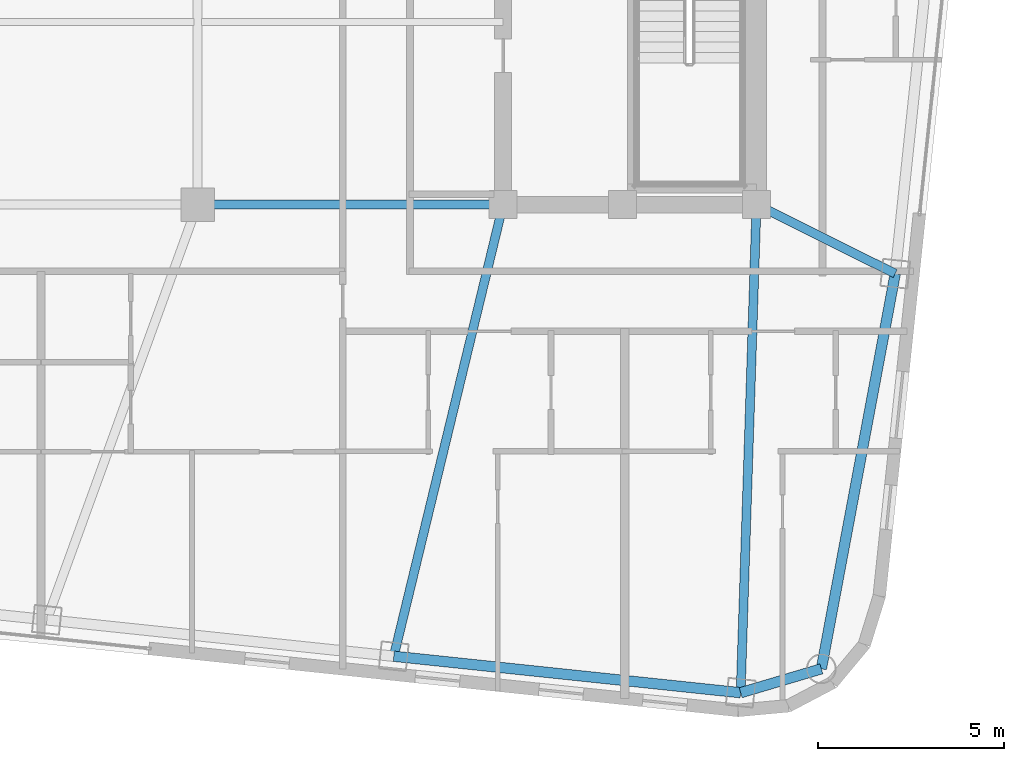
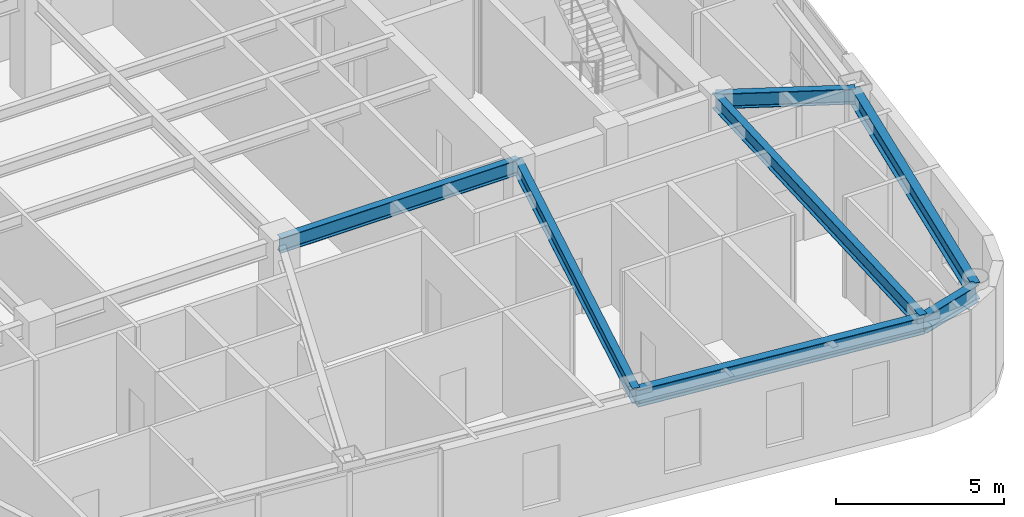
# One storey, part 7 of 23: 7 beams.
"""IFC4 building model written with IfcOpenShell, lengths in metres."""

from ifc_helpers import new_model, si_unit, direction, frame, origin, origin_2d, place, context, subcontext, project, spatial, i_section, extrude, material, material_profile, profile_set, type_object, element, save


model = new_model("IFC4")

# Units and contexts
model_context = context("Model", 3, precision=1e-05, world=origin(), true_north=direction((0.0, 1.0)))
body_context = subcontext(model_context, "Body", "Model", "MODEL_VIEW")
ifc_project = project(units=[si_unit("LENGTHUNIT", "METRE"), si_unit("AREAUNIT", "SQUARE_METRE"), si_unit("VOLUMEUNIT", "CUBIC_METRE"), si_unit("PLANEANGLEUNIT", "RADIAN"), si_unit("MASSUNIT", "GRAM", prefix="KILO")], contexts=[model_context])

# Site, building, storey
site_placement = place(None, origin())
site = spatial("IfcSite", under=ifc_project, at=site_placement, CompositionType="ELEMENT")
building_placement = place(site_placement, origin())
building = spatial("IfcBuilding", under=site, at=building_placement, Name="Voryun Gate Residences", CompositionType="ELEMENT")
storey_placement = place(building_placement, frame((0.0, 0.0, 275.60009765625)))
storey = spatial("IfcBuildingStorey", under=building, at=storey_placement, Name="L68", CompositionType="ELEMENT", Elevation=275.60009765625)

# Beams
ifc_material_1 = material(Name="Steel SM355", Category="steel")
ifc_material_profile_1 = material_profile(ifc_material_1, i_section(OverallWidth=0.280029296875, OverallDepth=0.6201171875, WebThickness=0.013916015625, FlangeThickness=0.02197265625, FilletRadius=0.01806640625, at=origin_2d()), Name="H-620x280x14x22")
ifc_profile_set_1 = profile_set([ifc_material_profile_1], Name="Steel SM355")
beam_type_1 = type_object("IfcBeamType", Name="BM_EXO_SPANDREL_H", PredefinedType="SPANDREL", material=ifc_profile_set_1)
beam_1_placement = place(storey_placement, frame((9.4658203125, -19.51806640625, 3.33984375), z_axis=(0.994520592114, -0.104540862157, 0.0), x_axis=(0.104540862157, 0.994520592114, 0.0)))
element("IfcBeam", 1, at=beam_1_placement, inside=storey, type_object=beam_type_1, Name="BM-L68-SPAND-05", PredefinedType="SPANDREL", context=body_context, shape_type="SweptSolid", body=[
    extrude(i_section(OverallWidth=0.280029296875, OverallDepth=0.6201171875, WebThickness=0.013916015625, FlangeThickness=0.02197265625, FilletRadius=0.01806640625, at=origin_2d()), origin(), (0.0, 0.0, 1.0), 9.360107421875),
])
beam_2_placement = place(storey_placement, frame((18.774658203125, -20.49658203125, 3.33984375), z_axis=(0.958805748412, 0.28406255792, 0.0), x_axis=(-0.28406255792, 0.958805748412, 0.0)))
element("IfcBeam", 2, at=beam_2_placement, inside=storey, type_object=beam_type_1, Name="BM-L68-SPAND-06", PredefinedType="SPANDREL", context=body_context, shape_type="SweptSolid", body=[
    extrude(i_section(OverallWidth=0.280029296875, OverallDepth=0.6201171875, WebThickness=0.013916015625, FlangeThickness=0.02197265625, FilletRadius=0.01806640625, at=origin_2d()), origin(), (0.0, 0.0, 1.0), 2.2578125),
])
beam_3_placement = place(storey_placement, frame((20.939453125, -19.855224609375, 3.33984375), z_axis=(0.183852585596, 0.982953827384, 0.0), x_axis=(-0.982953827384, 0.183852585596, 0.0)))
element("IfcBeam", 3, at=beam_3_placement, inside=storey, type_object=beam_type_1, Name="BM-L68-SPAND-07", PredefinedType="SPANDREL", context=body_context, shape_type="SweptSolid", body=[
    extrude(i_section(OverallWidth=0.280029296875, OverallDepth=0.6201171875, WebThickness=0.013916015625, FlangeThickness=0.02197265625, FilletRadius=0.01806640625, at=origin_2d()), origin(), (0.0, 0.0, 1.0), 10.78662109375),
])
ifc_material_2 = material(Name="Steel SM355", Category="steel")
ifc_material_profile_2 = material_profile(ifc_material_2, i_section(OverallWidth=0.239990234375, OverallDepth=0.550048828125, WebThickness=0.011962890625, FlangeThickness=0.02001953125, FilletRadius=0.01806640625, at=origin_2d()), Name="H-550x240x12x20")
ifc_profile_set_2 = profile_set([ifc_material_profile_2], Name="Steel SM355")
beam_type_2 = type_object("IfcBeamType", Name="BM_GIRD_550", PredefinedType="USERDEFINED", material=ifc_profile_set_2)
beam_4_placement = place(storey_placement, frame((4.199951171875, -7.39990234375, 3.375), z_axis=(1.0, 0.0, 0.0), x_axis=(0.0, 1.0, 0.0)))
element("IfcBeam", 4, at=beam_4_placement, inside=storey, type_object=beam_type_2, Name="BM-L68-SPG3-S", ObjectType="GIRDER", PredefinedType="USERDEFINED", context=body_context, shape_type="SweptSolid", body=[
    extrude(i_section(OverallWidth=0.239990234375, OverallDepth=0.550048828125, WebThickness=0.011962890625, FlangeThickness=0.02001953125, FilletRadius=0.01806640625, at=origin_2d()), origin(), (0.0, 0.0, 1.0), 8.199951171875),
])
beam_5_placement = place(storey_placement, frame((12.39990234375, -7.39990234375, 3.375), z_axis=(-0.235323166357, -0.971917181336, 0.0), x_axis=(0.971917181336, -0.235323166357, 0.0)))
element("IfcBeam", 5, at=beam_5_placement, inside=storey, type_object=beam_type_2, Name="BM-L68-RAD-S5", ObjectType="GIRDER", PredefinedType="USERDEFINED", context=body_context, shape_type="SweptSolid", body=[
    extrude(i_section(OverallWidth=0.239990234375, OverallDepth=0.550048828125, WebThickness=0.011962890625, FlangeThickness=0.02001953125, FilletRadius=0.01806640625, at=origin_2d()), origin(), (0.0, 0.0, 1.0), 12.46826171875),
])
beam_6_placement = place(storey_placement, frame((19.199951171875, -7.39990234375, 3.375), z_axis=(-0.032456234446, -0.999473157641, 0.0), x_axis=(0.999473157641, -0.032456234446, 0.0)))
element("IfcBeam", 6, at=beam_6_placement, inside=storey, type_object=beam_type_2, Name="BM-L68-RAD-S6", ObjectType="GIRDER", PredefinedType="USERDEFINED", context=body_context, shape_type="SweptSolid", body=[
    extrude(i_section(OverallWidth=0.239990234375, OverallDepth=0.550048828125, WebThickness=0.011962890625, FlangeThickness=0.02001953125, FilletRadius=0.01806640625, at=origin_2d()), origin(), (0.0, 0.0, 1.0), 13.103515625),
])
beam_7_placement = place(storey_placement, frame((19.199951171875, -7.39990234375, 3.375), z_axis=(0.895271074172, -0.445521833081, 0.0), x_axis=(0.445521833081, 0.895271074172, 0.0)))
element("IfcBeam", 7, at=beam_7_placement, inside=storey, type_object=beam_type_2, Name="BM-L68-RAD-E1", ObjectType="GIRDER", PredefinedType="USERDEFINED", context=body_context, shape_type="SweptSolid", body=[
    extrude(i_section(OverallWidth=0.239990234375, OverallDepth=0.550048828125, WebThickness=0.011962890625, FlangeThickness=0.02001953125, FilletRadius=0.01806640625, at=origin_2d()), origin(), (0.0, 0.0, 1.0), 4.158203125),
])

save(model, "model.ifc")
